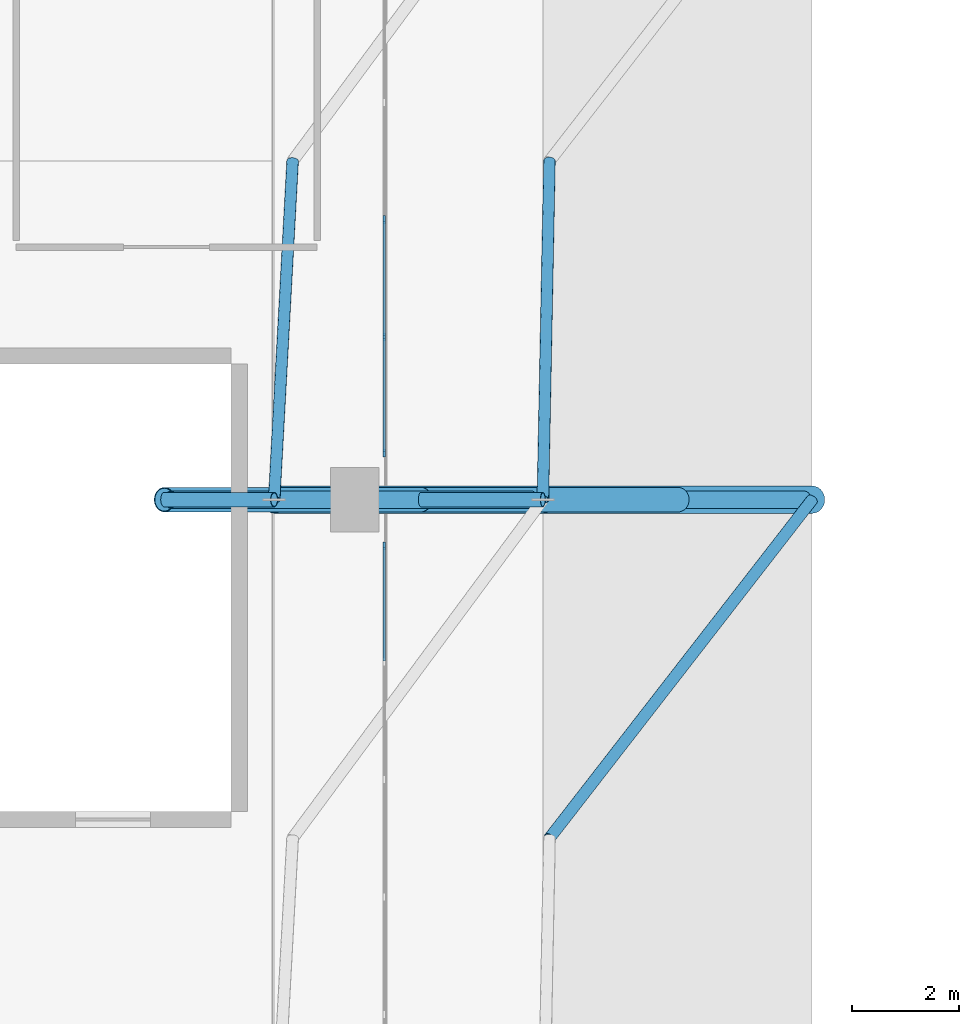
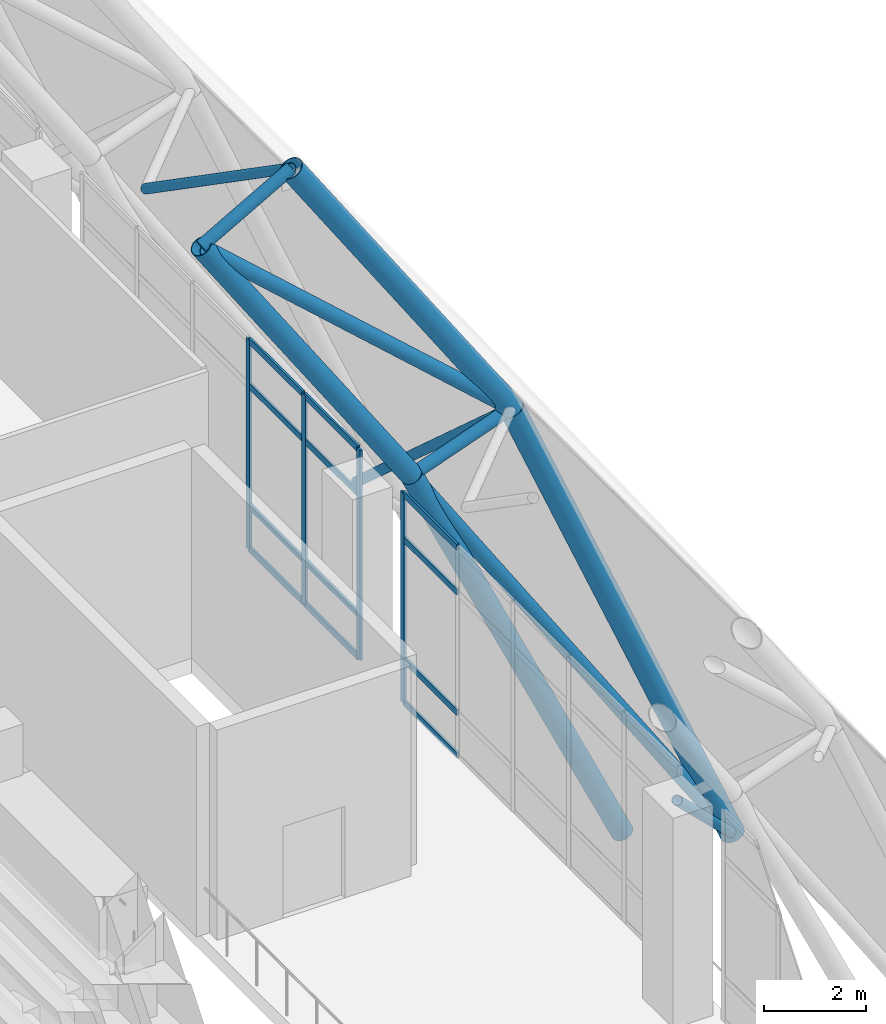
# One storey, part 44 of 159: 27 members, 2 elements without a shape of their own.
"""IFC4 building model written with IfcOpenShell, lengths in metres."""

from ifc_helpers import new_model, si_unit, derived_unit, direction, frame, origin, origin_2d, place, context, subcontext, project, spatial, rectangle, hollow_circle, extrude, material, layer, layer_set, material_profile, profile_set, type_object, element, aggregate, save


model = new_model("IFC4")

# Units and contexts
model_context = context("Model", 3, precision=1e-05, world=origin(), true_north=direction((0.0, 1.0)))
body_context = subcontext(model_context, "Body", "Model", "MODEL_VIEW")
ifc_project = project(units=[si_unit("LENGTHUNIT", "METRE"), si_unit("AREAUNIT", "SQUARE_METRE"), si_unit("VOLUMEUNIT", "CUBIC_METRE"), si_unit("PLANEANGLEUNIT", "RADIAN"), si_unit("MASSUNIT", "GRAM", prefix="KILO"), derived_unit("THERMALTRANSMITTANCEUNIT", [(si_unit("MASSUNIT", "GRAM", prefix="KILO"), 1), (si_unit("TIMEUNIT", "SECOND"), -3), (si_unit("THERMODYNAMICTEMPERATUREUNIT", "KELVIN"), -1)])], contexts=[model_context])

# Site, building, storey
site_placement = place(None, origin())
site = spatial("IfcSite", under=ifc_project, at=site_placement, CompositionType="ELEMENT")
building_placement = place(site_placement, origin())
building = spatial("IfcBuilding", under=site, at=building_placement, Name="Valcora Ridge Arena", CompositionType="ELEMENT")
storey_placement = place(building_placement, frame((0.0, 0.0, 6.0)))
storey = spatial("IfcBuildingStorey", under=building, at=storey_placement, Name="L01", CompositionType="ELEMENT", Elevation=6.0)

# Curtain wall, member
ifc_material_1 = material(Name="Anodised dark bronze architectural aluminium 6063-T6", Category="aluminium")
ifc_layer = layer(ifc_material_1, 0.14990234375, Name="Anodised dark bronze architectural aluminium 6063-T6")
ifc_layer_set = layer_set([ifc_layer], Name="Anodised dark bronze architectural aluminium 6063-T6")
curtain_wall_type = type_object("IfcCurtainWallType", Name="TY-CURTAINWALL-CW-V1-EAST-109X50", PredefinedType="NOTDEFINED", material=ifc_layer_set)
curtain_wall_1_placement = place(storey_placement, origin())
curtain_wall_1 = element("IfcCurtainWall", 1, at=curtain_wall_1_placement, inside=storey, type_object=curtain_wall_type, Name="CW-V1-EAST-109X50 CW-0108", PredefinedType="NOTDEFINED")
ifc_material_profile_1 = material_profile(ifc_material_1, rectangle(XDim=0.050048828125, YDim=0.14990234375, at=origin_2d()), Name="ALU MULLION 50x150")
ifc_profile_set_1 = profile_set([ifc_material_profile_1], Name="Anodised dark bronze architectural aluminium 6063-T6")
member_type_1 = type_object("IfcMemberType", Name="TY-MEM-CWM-50x150", PredefinedType="MULLION", material=ifc_profile_set_1)
member_1_placement = place(storey_placement, frame((103.050048828125, 56.93505859375, 0.0), z_axis=(0.0, 0.0, 1.0), x_axis=(-1.0, 0.0, 0.0)))
member_1 = element("IfcMember", 2, at=member_1_placement, type_object=member_type_1, Name="CW-0108/CWM-50x150/M05", PredefinedType="MULLION", context=body_context, shape_type="SweptSolid", body=[
    extrude(rectangle(XDim=0.050048828125, YDim=0.14990234375, at=origin_2d()), origin(), (0.0, 0.0, 1.0), 5.0400390625),
])

# Curtain wall, members
curtain_wall_2_placement = place(storey_placement, origin())
curtain_wall_2 = element("IfcCurtainWall", 3, at=curtain_wall_2_placement, inside=storey, type_object=curtain_wall_type, Name="CW-V1-EAST-109X50 CW-0109", PredefinedType="NOTDEFINED")
member_2_placement = place(storey_placement, frame((103.050048828125, 58.6650390625, 0.0), z_axis=(0.0, 0.0, 1.0), x_axis=(-1.0, 0.0, 0.0)))
member_2 = element("IfcMember", 4, at=member_2_placement, type_object=member_type_1, Name="CW-0109/CWM-50x150/M00", PredefinedType="MULLION", context=body_context, shape_type="SweptSolid", body=[
    extrude(rectangle(XDim=0.050048828125, YDim=0.14990234375, at=origin_2d()), origin(), (0.0, 0.0, 1.0), 5.0400390625),
])
member_3_placement = place(storey_placement, frame((103.050048828125, 60.823974609375, 0.0), z_axis=(0.0, 0.0, 1.0), x_axis=(-1.0, 0.0, 0.0)))
member_3 = element("IfcMember", 5, at=member_3_placement, type_object=member_type_1, Name="CW-0109/CWM-50x150/M01", PredefinedType="MULLION", context=body_context, shape_type="SweptSolid", body=[
    extrude(rectangle(XDim=0.050048828125, YDim=0.14990234375, at=origin_2d()), origin(), (0.0, 0.0, 1.0), 5.0400390625),
])
member_4_placement = place(storey_placement, frame((103.050048828125, 63.008056640625, 0.0), z_axis=(0.0, 0.0, 1.0), x_axis=(-1.0, 0.0, 0.0)))
member_4 = element("IfcMember", 6, at=member_4_placement, type_object=member_type_1, Name="CW-0109/CWM-50x150/M02", PredefinedType="MULLION", context=body_context, shape_type="SweptSolid", body=[
    extrude(rectangle(XDim=0.050048828125, YDim=0.14990234375, at=origin_2d()), origin(), (0.0, 0.0, 1.0), 5.0400390625),
])

# Member
ifc_material_profile_2 = material_profile(ifc_material_1, rectangle(XDim=0.050048828125, YDim=0.14990234375, at=origin_2d()), Name="ALU TRANSOM 50x150")
ifc_profile_set_2 = profile_set([ifc_material_profile_2], Name="Anodised dark bronze architectural aluminium 6063-T6")
member_type_2 = type_object("IfcMemberType", Name="TY-MEM-CWT-50x150", PredefinedType="USERDEFINED", material=ifc_profile_set_2)
member_5_placement = place(storey_placement, frame((103.050048828125, 54.801025390625, 0.02490234375), z_axis=(0.0, 1.0, 0.0), x_axis=(-1.0, 0.0, 0.0)))
member_5 = element("IfcMember", 7, at=member_5_placement, type_object=member_type_2, Name="CW-0108/CWT-50x150/T04-00", ObjectType="TRANSOM", PredefinedType="USERDEFINED", context=body_context, shape_type="SweptSolid", body=[
    extrude(rectangle(XDim=0.050048828125, YDim=0.14990234375, at=origin_2d()), origin(), (0.0, 0.0, 1.0), 2.10888671875),
])

member_6_placement = place(storey_placement, frame((103.050048828125, 54.801025390625, 1.050048828125), z_axis=(0.0, 1.0, 0.0), x_axis=(-1.0, 0.0, 0.0)))
member_6 = element("IfcMember", 8, at=member_6_placement, type_object=member_type_2, Name="CW-0108/CWT-50x150/T04-01", ObjectType="TRANSOM", PredefinedType="USERDEFINED", context=body_context, shape_type="SweptSolid", body=[
    extrude(rectangle(XDim=0.050048828125, YDim=0.14990234375, at=origin_2d()), origin(), (0.0, 0.0, 1.0), 2.10888671875),
])

member_7_placement = place(storey_placement, frame((103.050048828125, 54.801025390625, 3.93994140625), z_axis=(0.0, 1.0, 0.0), x_axis=(-1.0, 0.0, 0.0)))
member_7 = element("IfcMember", 9, at=member_7_placement, type_object=member_type_2, Name="CW-0108/CWT-50x150/T04-02", ObjectType="TRANSOM", PredefinedType="USERDEFINED", context=body_context, shape_type="SweptSolid", body=[
    extrude(rectangle(XDim=0.050048828125, YDim=0.14990234375, at=origin_2d()), origin(), (0.0, 0.0, 1.0), 2.10888671875),
])

member_8_placement = place(storey_placement, frame((103.050048828125, 54.801025390625, 5.014892578125), z_axis=(0.0, 1.0, 0.0), x_axis=(-1.0, 0.0, 0.0)))
member_8 = element("IfcMember", 10, at=member_8_placement, type_object=member_type_2, Name="CW-0108/CWT-50x150/T04-03", ObjectType="TRANSOM", PredefinedType="USERDEFINED", context=body_context, shape_type="SweptSolid", body=[
    extrude(rectangle(XDim=0.050048828125, YDim=0.14990234375, at=origin_2d()), origin(), (0.0, 0.0, 1.0), 2.10888671875),
])

aggregate(curtain_wall_1, [member_1, member_5, member_6, member_7, member_8])

member_9_placement = place(storey_placement, frame((103.050048828125, 58.68994140625, 0.02490234375), z_axis=(0.0, 1.0, 0.0), x_axis=(-1.0, 0.0, 0.0)))
member_9 = element("IfcMember", 11, at=member_9_placement, type_object=member_type_2, Name="CW-0109/CWT-50x150/T00-00", ObjectType="TRANSOM", PredefinedType="USERDEFINED", context=body_context, shape_type="SweptSolid", body=[
    extrude(rectangle(XDim=0.050048828125, YDim=0.14990234375, at=origin_2d()), origin(), (0.0, 0.0, 1.0), 2.109130859375),
])

member_10_placement = place(storey_placement, frame((103.050048828125, 58.68994140625, 1.050048828125), z_axis=(0.0, 1.0, 0.0), x_axis=(-1.0, 0.0, 0.0)))
member_10 = element("IfcMember", 12, at=member_10_placement, type_object=member_type_2, Name="CW-0109/CWT-50x150/T00-01", ObjectType="TRANSOM", PredefinedType="USERDEFINED", context=body_context, shape_type="SweptSolid", body=[
    extrude(rectangle(XDim=0.050048828125, YDim=0.14990234375, at=origin_2d()), origin(), (0.0, 0.0, 1.0), 2.109130859375),
])

member_11_placement = place(storey_placement, frame((103.050048828125, 58.68994140625, 3.93994140625), z_axis=(0.0, 1.0, 0.0), x_axis=(-1.0, 0.0, 0.0)))
member_11 = element("IfcMember", 13, at=member_11_placement, type_object=member_type_2, Name="CW-0109/CWT-50x150/T00-02", ObjectType="TRANSOM", PredefinedType="USERDEFINED", context=body_context, shape_type="SweptSolid", body=[
    extrude(rectangle(XDim=0.050048828125, YDim=0.14990234375, at=origin_2d()), origin(), (0.0, 0.0, 1.0), 2.109130859375),
])

member_12_placement = place(storey_placement, frame((103.050048828125, 58.68994140625, 5.014892578125), z_axis=(0.0, 1.0, 0.0), x_axis=(-1.0, 0.0, 0.0)))
member_12 = element("IfcMember", 14, at=member_12_placement, type_object=member_type_2, Name="CW-0109/CWT-50x150/T00-03", ObjectType="TRANSOM", PredefinedType="USERDEFINED", context=body_context, shape_type="SweptSolid", body=[
    extrude(rectangle(XDim=0.050048828125, YDim=0.14990234375, at=origin_2d()), origin(), (0.0, 0.0, 1.0), 2.109130859375),
])

member_13_placement = place(storey_placement, frame((103.050048828125, 60.84912109375, 0.02490234375), z_axis=(0.0, 1.0, 0.0), x_axis=(-1.0, 0.0, 0.0)))
member_13 = element("IfcMember", 15, at=member_13_placement, type_object=member_type_2, Name="CW-0109/CWT-50x150/T01-00", ObjectType="TRANSOM", PredefinedType="USERDEFINED", context=body_context, shape_type="SweptSolid", body=[
    extrude(rectangle(XDim=0.050048828125, YDim=0.14990234375, at=origin_2d()), origin(), (0.0, 0.0, 1.0), 2.1337890625),
])

member_14_placement = place(storey_placement, frame((103.050048828125, 60.84912109375, 1.050048828125), z_axis=(0.0, 1.0, 0.0), x_axis=(-1.0, 0.0, 0.0)))
member_14 = element("IfcMember", 16, at=member_14_placement, type_object=member_type_2, Name="CW-0109/CWT-50x150/T01-01", ObjectType="TRANSOM", PredefinedType="USERDEFINED", context=body_context, shape_type="SweptSolid", body=[
    extrude(rectangle(XDim=0.050048828125, YDim=0.14990234375, at=origin_2d()), origin(), (0.0, 0.0, 1.0), 2.1337890625),
])

member_15_placement = place(storey_placement, frame((103.050048828125, 60.84912109375, 3.93994140625), z_axis=(0.0, 1.0, 0.0), x_axis=(-1.0, 0.0, 0.0)))
member_15 = element("IfcMember", 17, at=member_15_placement, type_object=member_type_2, Name="CW-0109/CWT-50x150/T01-02", ObjectType="TRANSOM", PredefinedType="USERDEFINED", context=body_context, shape_type="SweptSolid", body=[
    extrude(rectangle(XDim=0.050048828125, YDim=0.14990234375, at=origin_2d()), origin(), (0.0, 0.0, 1.0), 2.1337890625),
])

member_16_placement = place(storey_placement, frame((103.050048828125, 60.84912109375, 5.014892578125), z_axis=(0.0, 1.0, 0.0), x_axis=(-1.0, 0.0, 0.0)))
member_16 = element("IfcMember", 18, at=member_16_placement, type_object=member_type_2, Name="CW-0109/CWT-50x150/T01-03", ObjectType="TRANSOM", PredefinedType="USERDEFINED", context=body_context, shape_type="SweptSolid", body=[
    extrude(rectangle(XDim=0.050048828125, YDim=0.14990234375, at=origin_2d()), origin(), (0.0, 0.0, 1.0), 2.1337890625),
])

aggregate(curtain_wall_2, [member_2, member_3, member_4, member_9, member_10, member_11, member_12, member_13, member_14, member_15, member_16])

# Members
ifc_material_2 = material(Name="Steel ASTM A500 Grade C", Category="steel")
ifc_material_profile_3 = material_profile(ifc_material_2, hollow_circle(Radius=0.228515625, WallThickness=0.01611328125, at=origin_2d()), Name="CHS457X16")
ifc_profile_set_3 = profile_set([ifc_material_profile_3], Name="Steel ASTM A500 Grade C")
member_type_3 = type_object("IfcMemberType", Name="TY-MEMBER-SFBC-457", PredefinedType="CHORD", material=ifc_profile_set_3)
member_17_placement = place(storey_placement, frame((98.95654296875, 57.800048828125, 11.845947265625), z_axis=(0.554844245473, 0.0, -0.831954243493), x_axis=(0.0, 1.0, 0.0)))
element("IfcMember", 19, at=member_17_placement, inside=storey, type_object=member_type_3, Name="SFBC-457 Space Frame Bottom Chord", PredefinedType="CHORD", context=body_context, shape_type="SweptSolid", body=[
    extrude(hollow_circle(Radius=0.228515625, WallThickness=0.01611328125, at=origin_2d()), origin(), (0.0, 0.0, 1.0), 8.60400390625),
])
member_18_placement = place(storey_placement, frame((103.73046875, 57.800048828125, 4.687744140625), z_axis=(0.423307664024, 0.0, -0.90598599414), x_axis=(0.0, 1.0, 0.0)))
element("IfcMember", 20, at=member_18_placement, inside=storey, type_object=member_type_3, Name="SFBC-457 Space Frame Bottom Chord", PredefinedType="CHORD", context=body_context, shape_type="SweptSolid", body=[
    extrude(hollow_circle(Radius=0.228515625, WallThickness=0.01611328125, at=origin_2d()), origin(), (0.0, 0.0, 1.0), 11.300048828125),
])
ifc_material_profile_4 = material_profile(ifc_material_2, hollow_circle(Radius=0.136474609375, WallThickness=0.012451171875, at=origin_2d()), Name="CHS273X12")
ifc_profile_set_4 = profile_set([ifc_material_profile_4], Name="Steel ASTM A500 Grade C")
member_type_4 = type_object("IfcMemberType", Name="TY-MEMBER-SFKP-273", PredefinedType="POST", material=ifc_profile_set_4)
member_19_placement = place(storey_placement, frame((98.95654296875, 57.800048828125, 11.845947265625), z_axis=(0.870066770029, 0.0, 0.49293388572), x_axis=(0.0, 1.0, 0.0)))
element("IfcMember", 21, at=member_19_placement, inside=storey, type_object=member_type_4, Name="SFKP-273 Space Frame King Post", PredefinedType="POST", context=body_context, shape_type="SweptSolid", body=[
    extrude(hollow_circle(Radius=0.136474609375, WallThickness=0.012451171875, at=origin_2d()), origin(), (0.0, 0.0, 1.0), 2.3486328125),
])
member_20_placement = place(storey_placement, frame((103.73046875, 57.800048828125, 4.687744140625), z_axis=(0.940679548022, 0.0, 0.339296312878), x_axis=(0.0, 1.0, 0.0)))
element("IfcMember", 22, at=member_20_placement, inside=storey, type_object=member_type_4, Name="SFKP-273 Space Frame King Post", PredefinedType="POST", context=body_context, shape_type="SweptSolid", body=[
    extrude(hollow_circle(Radius=0.136474609375, WallThickness=0.012451171875, at=origin_2d()), origin(), (0.0, 0.0, 1.0), 2.41259765625),
])
ifc_material_profile_5 = material_profile(ifc_material_2, hollow_circle(Radius=0.109619140625, WallThickness=0.010009765625, at=origin_2d()), Name="CHS219X10")
ifc_profile_set_5 = profile_set([ifc_material_profile_5], Name="Steel ASTM A500 Grade C")
member_type_5 = type_object("IfcMemberType", Name="TY-MEMBER-SFST-219", PredefinedType="STRUT", material=ifc_profile_set_5)
member_21_placement = place(storey_placement, frame((106.122314453125, 51.5, -0.131103515625), z_axis=(0.480415634136, 0.619237034909, -0.621084787348), x_axis=(-0.790101773221, 0.612975683003, 0.0)))
element("IfcMember", 23, at=member_21_placement, inside=storey, type_object=member_type_5, Name="SFST-219 Space Frame Tie Strut", PredefinedType="STRUT", context=body_context, shape_type="SweptSolid", body=[
    extrude(hollow_circle(Radius=0.109619140625, WallThickness=0.010009765625, at=origin_2d()), origin(), (0.0, 0.0, 1.0), 10.173828125),
])
member_22_placement = place(storey_placement, frame((101.343505859375, 64.10009765625, 8.570068359375), z_axis=(-0.044545322224, -0.816980838661, 0.57494175664), x_axis=(0.998516855542, -0.054443449554, 0.0)))
element("IfcMember", 24, at=member_22_placement, inside=storey, type_object=member_type_5, Name="SFST-219 Space Frame Tie Strut", PredefinedType="STRUT", context=body_context, shape_type="SweptSolid", body=[
    extrude(hollow_circle(Radius=0.109619140625, WallThickness=0.010009765625, at=origin_2d()), origin(), (0.0, 0.0, 1.0), 7.71142578125),
])
member_23_placement = place(storey_placement, frame((106.122314453125, 64.10009765625, -0.131103515625), z_axis=(-0.014466583162, -0.745130096773, 0.666762219127), x_axis=(0.999811585217, -0.019411184042, 0.0)))
element("IfcMember", 25, at=member_23_placement, inside=storey, type_object=member_type_5, Name="SFST-219 Space Frame Tie Strut", PredefinedType="STRUT", context=body_context, shape_type="SweptSolid", body=[
    extrude(hollow_circle(Radius=0.109619140625, WallThickness=0.010009765625, at=origin_2d()), origin(), (0.0, 0.0, 1.0), 8.455078125),
])
ifc_material_profile_6 = material_profile(ifc_material_2, hollow_circle(Radius=0.25390625, WallThickness=0.01611328125, at=origin_2d()), Name="CHS508X16")
ifc_profile_set_6 = profile_set([ifc_material_profile_6], Name="Steel ASTM A500 Grade C")
member_type_6 = type_object("IfcMemberType", Name="TY-MEMBER-SFTC-508", PredefinedType="CHORD", material=ifc_profile_set_6)
member_24_placement = place(storey_placement, frame((101.0, 57.800048828125, 13.003662109375), z_axis=(0.554837731053, 0.0, -0.831958588032), x_axis=(0.0, 1.0, 0.0)))
element("IfcMember", 26, at=member_24_placement, inside=storey, type_object=member_type_6, Name="SFTC-508 Space Frame Top Chord", PredefinedType="CHORD", context=body_context, shape_type="SweptSolid", body=[
    extrude(hollow_circle(Radius=0.25390625, WallThickness=0.01611328125, at=origin_2d()), origin(), (0.0, 0.0, 1.0), 9.01171875),
])
member_25_placement = place(storey_placement, frame((106.0, 57.800048828125, 5.50634765625), z_axis=(0.386469367501, 0.0, -0.922302243293), x_axis=(0.0, 1.0, 0.0)))
element("IfcMember", 27, at=member_25_placement, inside=storey, type_object=member_type_6, Name="SFTC-508 Space Frame Top Chord", PredefinedType="CHORD", context=body_context, shape_type="SweptSolid", body=[
    extrude(hollow_circle(Radius=0.25390625, WallThickness=0.01611328125, at=origin_2d()), origin(), (0.0, 0.0, 1.0), 12.963623046875),
])
ifc_material_profile_7 = material_profile(ifc_material_2, hollow_circle(Radius=0.161865234375, WallThickness=0.012451171875, at=origin_2d()), Name="CHS323X12")
ifc_profile_set_7 = profile_set([ifc_material_profile_7], Name="Steel ASTM A500 Grade C")
member_type_7 = type_object("IfcMemberType", Name="TY-MEMBER-SFWB-323", PredefinedType="BRACE", material=ifc_profile_set_7)
member_26_placement = place(storey_placement, frame((99.075439453125, 57.800048828125, 11.739013671875), z_axis=(0.743265934417, 0.0, -0.668996076771), x_axis=(0.0, 1.0, 0.0)))
element("IfcMember", 28, at=member_26_placement, inside=storey, type_object=member_type_7, Name="SFWB-323 Space Frame Diagonal Brace", PredefinedType="BRACE", context=body_context, shape_type="SweptSolid", body=[
    extrude(hollow_circle(Radius=0.161865234375, WallThickness=0.012451171875, at=origin_2d()), origin(), (0.0, 0.0, 1.0), 9.03662109375),
])
member_27_placement = place(storey_placement, frame((103.818115234375, 57.800048828125, 4.5537109375), z_axis=(0.547092389221, 0.0, -0.837072229653), x_axis=(0.0, 1.0, 0.0)))
element("IfcMember", 29, at=member_27_placement, inside=storey, type_object=member_type_7, Name="SFWB-323 Space Frame Diagonal Brace", PredefinedType="BRACE", context=body_context, shape_type="SweptSolid", body=[
    extrude(hollow_circle(Radius=0.161865234375, WallThickness=0.012451171875, at=origin_2d()), origin(), (0.0, 0.0, 1.0), 12.865478515625),
])

save(model, "model.ifc")
